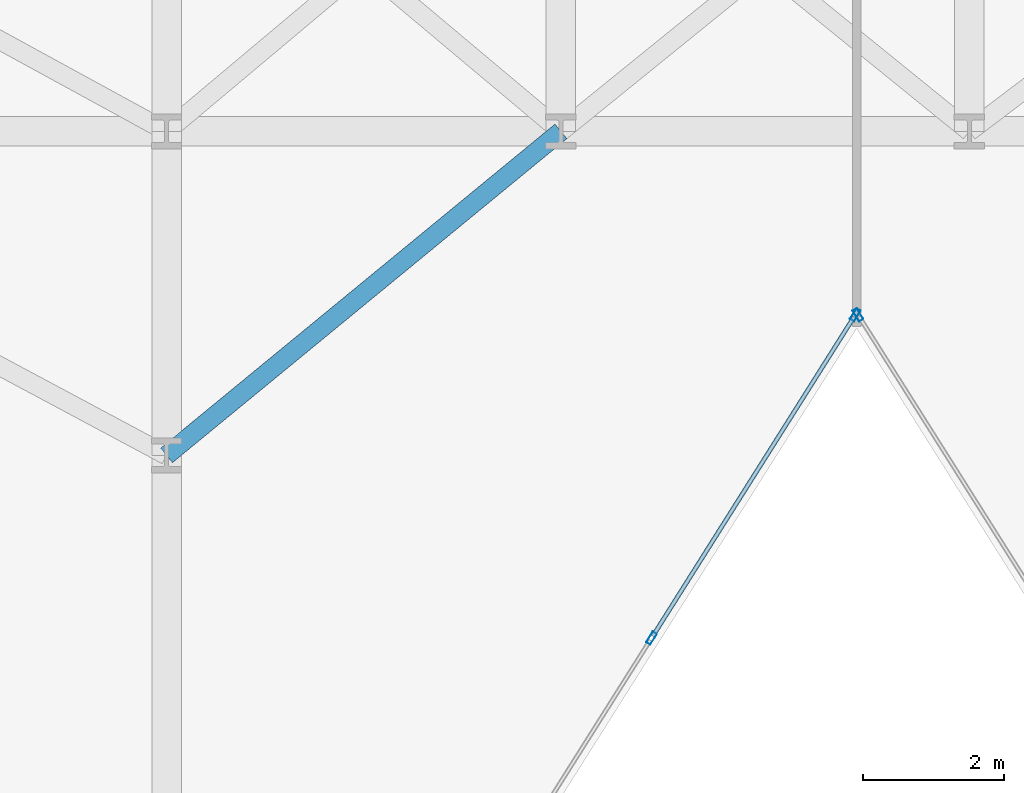
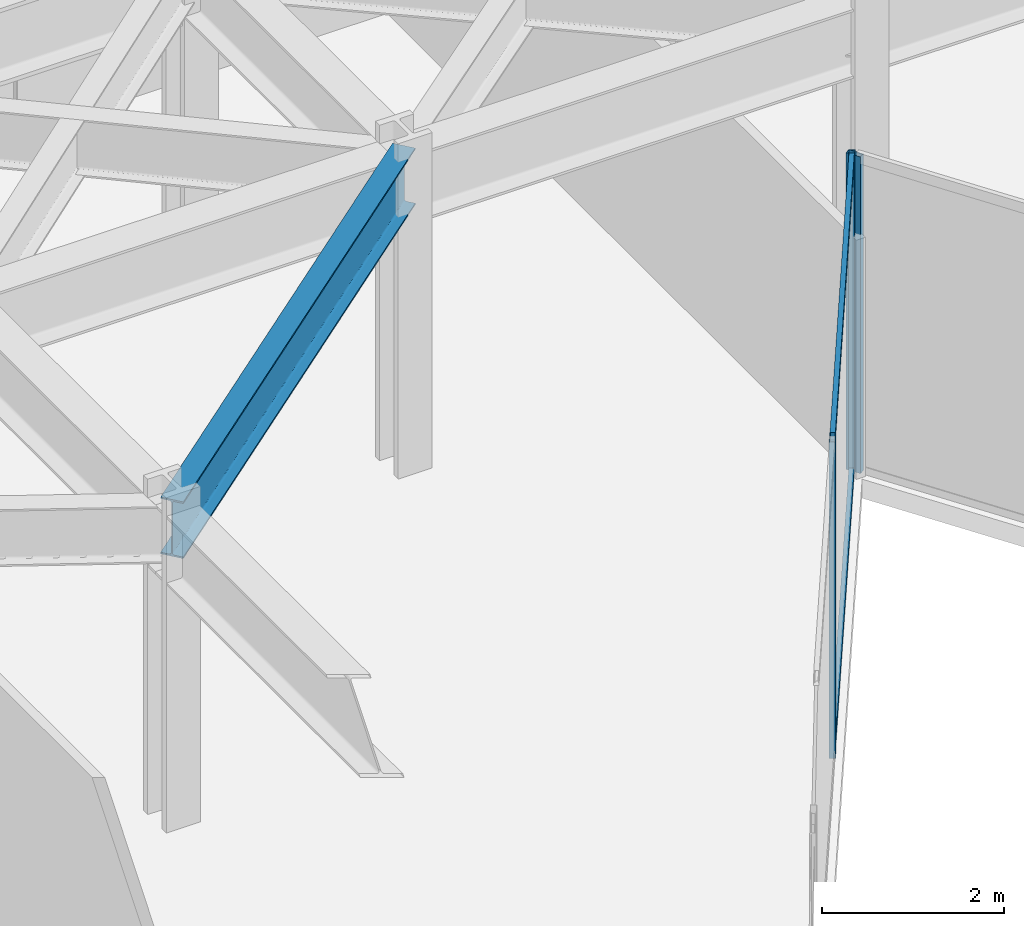
# One storey, part 10 of 28: 5 members, 1 beam, 2 elements without a shape of their own.
"""IFC4 building model written with IfcOpenShell, lengths in metres."""

from ifc_helpers import new_model, si_unit, direction, frame, origin, origin_2d, place, context, subcontext, project, spatial, hollow_rectangle, i_section, extrude, material, layer, layer_set, material_profile, profile_set, type_object, element, aggregate, save


model = new_model("IFC4")

# Units and contexts
model_context = context("Model", 3, precision=1e-05, world=origin(), true_north=direction((0.0, 1.0)))
body_context = subcontext(model_context, "Body", "Model", "MODEL_VIEW")
ifc_project = project(units=[si_unit("LENGTHUNIT", "METRE"), si_unit("AREAUNIT", "SQUARE_METRE"), si_unit("VOLUMEUNIT", "CUBIC_METRE"), si_unit("PLANEANGLEUNIT", "RADIAN"), si_unit("MASSUNIT", "GRAM", prefix="KILO")], contexts=[model_context])

# Site, building, storey
site_placement = place(None, origin())
site = spatial("IfcSite", under=ifc_project, at=site_placement, CompositionType="ELEMENT")
building_placement = place(site_placement, origin())
building = spatial("IfcBuilding", under=site, at=building_placement, Name="Kravanh Interchange Tower", CompositionType="ELEMENT")
storey_placement = place(building_placement, frame((0.0, 0.0, 91.5)))
storey = spatial("IfcBuildingStorey", under=building, at=storey_placement, Name="L21", CompositionType="ELEMENT", Elevation=91.5)

# Curtain wall, member
ifc_material_1 = material(Name="Anodised Bronze Aluminium", Category="aluminium")
ifc_layer = layer(ifc_material_1, 0.179931640625)
ifc_layer_set = layer_set([ifc_layer], Name="Unitised Curtain Wall System CW-SKY Sky Observatory")
curtain_wall_type = type_object("IfcCurtainWallType", Name="Unitised Curtain Wall System CW-SKY Sky Observatory", PredefinedType="NOTDEFINED", material=ifc_layer_set)
curtain_wall_1_placement = place(storey_placement, origin())
curtain_wall_1 = element("IfcCurtainWall", 1, at=curtain_wall_1_placement, inside=storey, type_object=curtain_wall_type, Name="L21 Unitised Curtain Wall CW-L21-05", PredefinedType="NOTDEFINED")
ifc_material_2 = material(Name="Anodised Bronze Aluminium", Category="aluminium")
ifc_material_profile_1 = material_profile(ifc_material_2, hollow_rectangle(XDim=0.070068359375, YDim=0.179931640625, WallThickness=0.00390625, at=origin_2d()), Name="ALU70X180X4")
ifc_profile_set_1 = profile_set([ifc_material_profile_1], Name="Anodised Bronze Aluminium")
member_type_1 = type_object("IfcMemberType", Name="Curtain Wall Mullion ALU70X180X4 Bronze", PredefinedType="MULLION", material=ifc_profile_set_1)
member_1_placement = place(storey_placement, frame((37.0185546875, 24.1953125, 0.0), z_axis=(0.0, 0.0, 1.0), x_axis=(-0.845925530786, -0.53330103728, 0.0)))
member_1 = element("IfcMember", 2, at=member_1_placement, type_object=member_type_1, Name="CW-SKY mullion 6", PredefinedType="MULLION", context=body_context, shape_type="SweptSolid", body=[
    extrude(hollow_rectangle(XDim=0.070068359375, YDim=0.179931640625, WallThickness=0.00390625, at=origin_2d()), origin(), (0.0, 0.0, 1.0), 4.25),
])
aggregate(curtain_wall_1, [member_1])

# Curtain wall, members
curtain_wall_2_placement = place(storey_placement, origin())
curtain_wall_2 = element("IfcCurtainWall", 3, at=curtain_wall_2_placement, inside=storey, type_object=curtain_wall_type, Name="L21 Unitised Curtain Wall CW-L21-06", PredefinedType="NOTDEFINED")
member_2_placement = place(storey_placement, frame((36.9814453125, 24.1953125, 0.0), z_axis=(0.0, 0.0, 1.0), x_axis=(0.845925530786, -0.53330103728, 0.0)))
member_2 = element("IfcMember", 4, at=member_2_placement, type_object=member_type_1, Name="CW-SKY mullion 1", PredefinedType="MULLION", context=body_context, shape_type="SweptSolid", body=[
    extrude(hollow_rectangle(XDim=0.070068359375, YDim=0.179931640625, WallThickness=0.00390625, at=origin_2d()), origin(), (0.0, 0.0, 1.0), 4.25),
])
member_3_placement = place(storey_placement, frame((34.086669921875, 19.60400390625, 0.0), z_axis=(0.0, 0.0, 1.0), x_axis=(0.845925530786, -0.53330103728, 0.0)))
member_3 = element("IfcMember", 5, at=member_3_placement, type_object=member_type_1, Name="CW-SKY mullion 2", PredefinedType="MULLION", context=body_context, shape_type="SweptSolid", body=[
    extrude(hollow_rectangle(XDim=0.070068359375, YDim=0.179931640625, WallThickness=0.00390625, at=origin_2d()), origin(), (0.0, 0.0, 1.0), 4.25),
])
ifc_material_3 = material(Name="Anodised Bronze Aluminium", Category="aluminium")
ifc_material_profile_2 = material_profile(ifc_material_3, hollow_rectangle(XDim=0.06005859375, YDim=0.139892578125, WallThickness=0.00390625, at=origin_2d()), Name="ALU60X140X4")
ifc_profile_set_2 = profile_set([ifc_material_profile_2], Name="Anodised Bronze Aluminium")
member_type_2 = type_object("IfcMemberType", Name="Curtain Wall Transom ALU60X140X4 Bronze", PredefinedType="USERDEFINED", material=ifc_profile_set_2)
member_4_placement = place(storey_placement, frame((36.962646484375, 24.165771484375, 0.030029296875), z_axis=(-0.533288163518, -0.845933646719, 0.0), x_axis=(0.845933646719, -0.533288163518, 0.0)))
member_4 = element("IfcMember", 6, at=member_4_placement, type_object=member_type_2, Name="CW-SKY transom 1.1", ObjectType="TRANSOM", PredefinedType="USERDEFINED", context=body_context, shape_type="SweptSolid", body=[
    extrude(hollow_rectangle(XDim=0.06005859375, YDim=0.139892578125, WallThickness=0.00390625, at=origin_2d()), origin(), (0.0, 0.0, 1.0), 5.357666015625),
])
member_5_placement = place(storey_placement, frame((36.962646484375, 24.165771484375, 4.219970703125), z_axis=(-0.533288163518, -0.845933646719, 0.0), x_axis=(0.845933646719, -0.533288163518, 0.0)))
member_5 = element("IfcMember", 7, at=member_5_placement, type_object=member_type_2, Name="CW-SKY transom 1.2", ObjectType="TRANSOM", PredefinedType="USERDEFINED", context=body_context, shape_type="SweptSolid", body=[
    extrude(hollow_rectangle(XDim=0.06005859375, YDim=0.139892578125, WallThickness=0.00390625, at=origin_2d()), origin(), (0.0, 0.0, 1.0), 5.357666015625),
])
aggregate(curtain_wall_2, [member_2, member_3, member_4, member_5])

# Beam
ifc_material_4 = material(Name="Structural Steel S355", Category="steel")
ifc_material_profile_3 = material_profile(ifc_material_4, i_section(OverallWidth=0.26708984375, OverallDepth=0.761962890625, WebThickness=0.014404296875, FlangeThickness=0.021484375, FilletRadius=0.02490234375, at=origin_2d()), Name="W30X116")
ifc_profile_set_3 = profile_set([ifc_material_profile_3], Name="Structural Steel S355")
beam_type = type_object("IfcBeamType", Name="Floor Spandrel W30X116 Structural Steel S355", PredefinedType="SPANDREL", material=ifc_profile_set_3)
beam_placement = place(storey_placement, frame((27.199951171875, 22.199951171875, 3.868896484375), z_axis=(0.772725074305, 0.634740860147, 0.0), x_axis=(-0.634740860147, 0.772725074305, 0.0)))
element("IfcBeam", 8, at=beam_placement, inside=storey, type_object=beam_type, Name="L21 Perimeter Spandrel 55", PredefinedType="SPANDREL", context=body_context, shape_type="SweptSolid", body=[
    extrude(i_section(OverallWidth=0.26708984375, OverallDepth=0.761962890625, WebThickness=0.014404296875, FlangeThickness=0.021484375, FilletRadius=0.02490234375, at=origin_2d()), origin(), (0.0, 0.0, 1.0), 7.247314453125),
])

save(model, "model.ifc")
